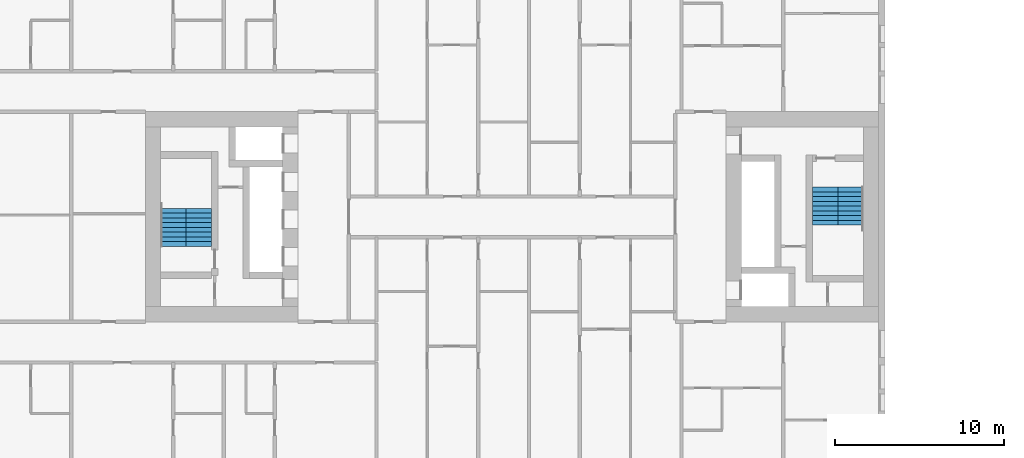
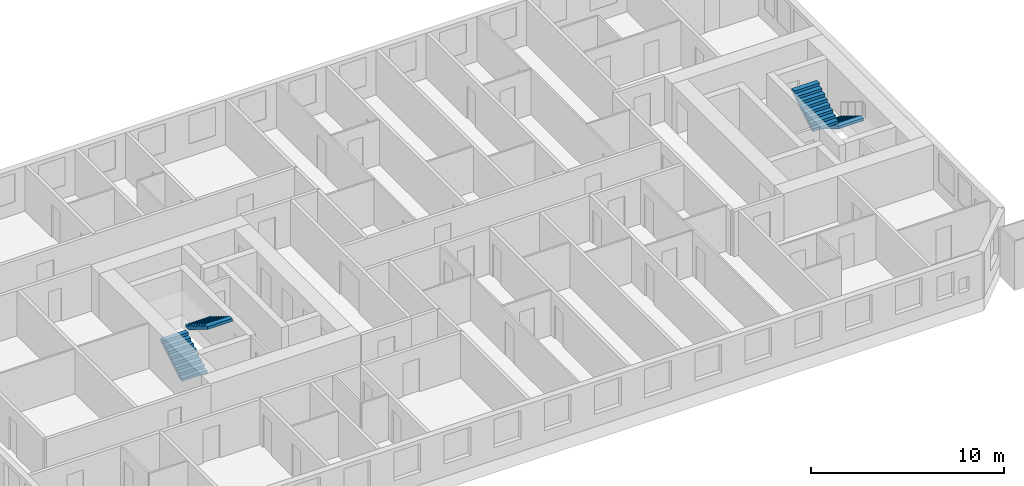
# One storey, part 15 of 16: 4 stair flights, 2 elements without a shape of their own.
"""IFC4 building model written with IfcOpenShell, lengths in metres."""

from ifc_helpers import new_model, si_unit, direction, frame, origin, place, context, subcontext, project, spatial, faceted_brep, material, type_object, element, aggregate, save


model = new_model("IFC4")

# Units and contexts
model_context = context("Model", 3, precision=1e-05, world=origin(), true_north=direction((0.0, 1.0)))
body_context = subcontext(model_context, "Body", "Model", "MODEL_VIEW")
ifc_project = project(units=[si_unit("LENGTHUNIT", "METRE"), si_unit("AREAUNIT", "SQUARE_METRE"), si_unit("VOLUMEUNIT", "CUBIC_METRE"), si_unit("PLANEANGLEUNIT", "RADIAN"), si_unit("MASSUNIT", "GRAM", prefix="KILO")], contexts=[model_context])

# Site, building, storey
site_placement = place(None, origin())
site = spatial("IfcSite", under=ifc_project, at=site_placement, CompositionType="ELEMENT")
building_placement = place(site_placement, origin())
building = spatial("IfcBuilding", under=site, at=building_placement, Name="Tuart Gate Housing", CompositionType="ELEMENT")
storey_placement = place(building_placement, frame((0.0, 0.0, 19.5)))
storey = spatial("IfcBuildingStorey", under=building, at=storey_placement, Name="L04", CompositionType="ELEMENT", Elevation=19.5)

# Stair, stair flights
ifc_material_1 = material(Name="Concrete C40", Category="concrete")
stair_type = type_object("IfcStairType", Name="Core stair 1500", PredefinedType="HALF_TURN_STAIR", material=ifc_material_1)
stair_1_placement = place(storey_placement, origin())
stair_1 = element("IfcStair", 1, at=stair_1_placement, inside=storey, type_object=stair_type, Name="Stair SA1", PredefinedType="HALF_TURN_STAIR")
ifc_material_2 = material(Name="Concrete C40", Category="concrete")
stair_flight_type = type_object("IfcStairFlightType", Name="Stair flight 1500, 9 risers 172 x 280", PredefinedType="STRAIGHT", material=ifc_material_2)
stair_flight_1_placement = place(storey_placement, frame((73.989990234375, 71.75, 0.0), z_axis=(0.0, 0.0, 1.0), x_axis=(0.0, -1.0, 0.0)))
stair_flight_1 = element("IfcStairFlight", 2, at=stair_flight_1_placement, type_object=stair_flight_type, Name="SA1 flight 1", NumberOfRisers=9, NumberOfTreads=8, PredefinedType="STRAIGHT", RiserHeight=0.172222222, TreadLength=0.28, context=body_context, shape_type="Brep", body=[
    faceted_brep([(0.0, 0.75, 0.0), (0.0, 0.75, 0.172119140625), (0.280029296875, 0.75, 0.172119140625), (0.280029296875, 0.75, 0.344482421875), (0.56005859375, 0.75, 0.344482421875), (0.56005859375, 0.75, 0.5166015625), (0.840087890625, 0.75, 0.5166015625), (0.840087890625, 0.75, 0.68896484375), (1.1201171875, 0.75, 0.68896484375), (1.1201171875, 0.75, 0.861083984375), (1.39990234375, 0.75, 0.861083984375), (1.39990234375, 0.75, 1.033447265625), (1.679931640625, 0.75, 1.033447265625), (1.679931640625, 0.75, 1.20556640625), (1.9599609375, 0.75, 1.20556640625), (1.9599609375, 0.75, 1.377685546875), (2.239990234375, 0.75, 1.377685546875), (2.239990234375, 0.75, 1.201904296875), (0.2861328125, 0.75, 0.0), (0.2861328125, -0.75, 0.0), (2.239990234375, -0.75, 1.201904296875), (2.239990234375, -0.75, 1.377685546875), (1.9599609375, -0.75, 1.377685546875), (1.9599609375, -0.75, 1.20556640625), (1.679931640625, -0.75, 1.20556640625), (1.679931640625, -0.75, 1.033447265625), (1.39990234375, -0.75, 1.033447265625), (1.39990234375, -0.75, 0.861083984375), (1.1201171875, -0.75, 0.861083984375), (1.1201171875, -0.75, 0.68896484375), (0.840087890625, -0.75, 0.68896484375), (0.840087890625, -0.75, 0.5166015625), (0.56005859375, -0.75, 0.5166015625), (0.56005859375, -0.75, 0.344482421875), (0.280029296875, -0.75, 0.344482421875), (0.280029296875, -0.75, 0.172119140625), (0.0, -0.75, 0.172119140625), (0.0, -0.75, 0.0), (2.239990234375, 0.0, 1.201904296875), (0.2861328125, 0.0, 0.0), (2.239990234375, 0.0, 1.377685546875), (1.9599609375, 0.0, 1.377685546875), (1.9599609375, 0.0, 1.20556640625), (1.679931640625, 0.0, 1.20556640625), (1.679931640625, 0.0, 1.033447265625), (1.39990234375, 0.0, 1.033447265625), (1.39990234375, 0.0, 0.861083984375), (1.1201171875, 0.0, 0.861083984375), (1.1201171875, 0.0, 0.68896484375), (0.840087890625, 0.0, 0.68896484375), (0.840087890625, 0.0, 0.5166015625), (0.56005859375, 0.0, 0.5166015625), (0.56005859375, 0.0, 0.344482421875), (0.280029296875, 0.0, 0.344482421875), (0.280029296875, 0.0, 0.172119140625), (0.0, 0.0, 0.172119140625), (0.0, 0.0, 0.0)], [[[0, 1, 2, 3, 4, 5, 6, 7, 8, 9, 10, 11, 12, 13, 14, 15, 16, 17, 18]], [[19, 20, 21, 22, 23, 24, 25, 26, 27, 28, 29, 30, 31, 32, 33, 34, 35, 36, 37]], [[18, 17, 38, 39]], [[39, 38, 20, 19]], [[17, 16, 40, 38]], [[38, 40, 21, 20]], [[16, 15, 41, 40]], [[40, 41, 22, 21]], [[15, 14, 42, 41]], [[41, 42, 23, 22]], [[14, 13, 43, 42]], [[42, 43, 24, 23]], [[13, 12, 44, 43]], [[43, 44, 25, 24]], [[12, 11, 45, 44]], [[44, 45, 26, 25]], [[11, 10, 46, 45]], [[45, 46, 27, 26]], [[10, 9, 47, 46]], [[46, 47, 28, 27]], [[9, 8, 48, 47]], [[47, 48, 29, 28]], [[8, 7, 49, 48]], [[48, 49, 30, 29]], [[7, 6, 50, 49]], [[49, 50, 31, 30]], [[6, 5, 51, 50]], [[50, 51, 32, 31]], [[5, 4, 52, 51]], [[51, 52, 33, 32]], [[4, 3, 53, 52]], [[52, 53, 34, 33]], [[3, 2, 54, 53]], [[53, 54, 35, 34]], [[2, 1, 55, 54]], [[54, 55, 36, 35]], [[1, 0, 56, 55]], [[55, 56, 37, 36]], [[0, 18, 39, 56]], [[56, 39, 19, 37]]]),
])
stair_flight_2_placement = place(storey_placement, frame((72.489990234375, 69.510009765625, 1.550048828125), z_axis=(0.0, 0.0, 1.0), x_axis=(0.0, 1.0, 0.0)))
stair_flight_2 = element("IfcStairFlight", 3, at=stair_flight_2_placement, type_object=stair_flight_type, Name="SA1 flight 2", NumberOfRisers=9, NumberOfTreads=8, PredefinedType="STRAIGHT", RiserHeight=0.172222222, TreadLength=0.28, context=body_context, shape_type="Brep", body=[
    faceted_brep([(0.0, 0.75, 0.0), (0.0, 0.75, 0.172119140625), (0.280029296875, 0.75, 0.172119140625), (0.280029296875, 0.75, 0.344482421875), (0.56005859375, 0.75, 0.344482421875), (0.56005859375, 0.75, 0.5166015625), (0.840087890625, 0.75, 0.5166015625), (0.840087890625, 0.75, 0.68896484375), (1.1201171875, 0.75, 0.68896484375), (1.1201171875, 0.75, 0.861083984375), (1.39990234375, 0.75, 0.861083984375), (1.39990234375, 0.75, 1.033447265625), (1.679931640625, 0.75, 1.033447265625), (1.679931640625, 0.75, 1.20556640625), (1.9599609375, 0.75, 1.20556640625), (1.9599609375, 0.75, 1.377685546875), (2.239990234375, 0.75, 1.377685546875), (2.239990234375, 0.75, 1.201904296875), (0.2861328125, 0.75, 0.0), (0.2861328125, -0.75, 0.0), (2.239990234375, -0.75, 1.201904296875), (2.239990234375, -0.75, 1.377685546875), (1.9599609375, -0.75, 1.377685546875), (1.9599609375, -0.75, 1.20556640625), (1.679931640625, -0.75, 1.20556640625), (1.679931640625, -0.75, 1.033447265625), (1.39990234375, -0.75, 1.033447265625), (1.39990234375, -0.75, 0.861083984375), (1.1201171875, -0.75, 0.861083984375), (1.1201171875, -0.75, 0.68896484375), (0.840087890625, -0.75, 0.68896484375), (0.840087890625, -0.75, 0.5166015625), (0.56005859375, -0.75, 0.5166015625), (0.56005859375, -0.75, 0.344482421875), (0.280029296875, -0.75, 0.344482421875), (0.280029296875, -0.75, 0.172119140625), (0.0, -0.75, 0.172119140625), (0.0, -0.75, 0.0), (2.239990234375, 0.0, 1.201904296875), (0.2861328125, 0.0, 0.0), (2.239990234375, 0.0, 1.377685546875), (1.9599609375, 0.0, 1.377685546875), (1.9599609375, 0.0, 1.20556640625), (1.679931640625, 0.0, 1.20556640625), (1.679931640625, 0.0, 1.033447265625), (1.39990234375, 0.0, 1.033447265625), (1.39990234375, 0.0, 0.861083984375), (1.1201171875, 0.0, 0.861083984375), (1.1201171875, 0.0, 0.68896484375), (0.840087890625, 0.0, 0.68896484375), (0.840087890625, 0.0, 0.5166015625), (0.56005859375, 0.0, 0.5166015625), (0.56005859375, 0.0, 0.344482421875), (0.280029296875, 0.0, 0.344482421875), (0.280029296875, 0.0, 0.172119140625), (0.0, 0.0, 0.172119140625), (0.0, 0.0, 0.0)], [[[0, 1, 2, 3, 4, 5, 6, 7, 8, 9, 10, 11, 12, 13, 14, 15, 16, 17, 18]], [[19, 20, 21, 22, 23, 24, 25, 26, 27, 28, 29, 30, 31, 32, 33, 34, 35, 36, 37]], [[18, 17, 38, 39]], [[39, 38, 20, 19]], [[17, 16, 40, 38]], [[38, 40, 21, 20]], [[16, 15, 41, 40]], [[40, 41, 22, 21]], [[15, 14, 42, 41]], [[41, 42, 23, 22]], [[14, 13, 43, 42]], [[42, 43, 24, 23]], [[13, 12, 44, 43]], [[43, 44, 25, 24]], [[12, 11, 45, 44]], [[44, 45, 26, 25]], [[11, 10, 46, 45]], [[45, 46, 27, 26]], [[10, 9, 47, 46]], [[46, 47, 28, 27]], [[9, 8, 48, 47]], [[47, 48, 29, 28]], [[8, 7, 49, 48]], [[48, 49, 30, 29]], [[7, 6, 50, 49]], [[49, 50, 31, 30]], [[6, 5, 51, 50]], [[50, 51, 32, 31]], [[5, 4, 52, 51]], [[51, 52, 33, 32]], [[4, 3, 53, 52]], [[52, 53, 34, 33]], [[3, 2, 54, 53]], [[53, 54, 35, 34]], [[2, 1, 55, 54]], [[54, 55, 36, 35]], [[1, 0, 56, 55]], [[55, 56, 37, 36]], [[0, 18, 39, 56]], [[56, 39, 19, 37]]]),
])
aggregate(stair_1, [stair_flight_1, stair_flight_2])

stair_2_placement = place(storey_placement, origin())
stair_2 = element("IfcStair", 4, at=stair_2_placement, inside=storey, type_object=stair_type, Name="Stair SA2", PredefinedType="HALF_TURN_STAIR")
stair_flight_3_placement = place(storey_placement, frame((34.010009765625, 68.25, 0.0), z_axis=(0.0, 0.0, 1.0), x_axis=(0.0, 1.0, 0.0)))
stair_flight_3 = element("IfcStairFlight", 5, at=stair_flight_3_placement, type_object=stair_flight_type, Name="SA2 flight 1", NumberOfRisers=9, NumberOfTreads=8, PredefinedType="STRAIGHT", RiserHeight=0.172222222, TreadLength=0.28, context=body_context, shape_type="Brep", body=[
    faceted_brep([(0.0, 0.75, 0.0), (0.0, 0.75, 0.172119140625), (0.280029296875, 0.75, 0.172119140625), (0.280029296875, 0.75, 0.344482421875), (0.56005859375, 0.75, 0.344482421875), (0.56005859375, 0.75, 0.5166015625), (0.840087890625, 0.75, 0.5166015625), (0.840087890625, 0.75, 0.68896484375), (1.1201171875, 0.75, 0.68896484375), (1.1201171875, 0.75, 0.861083984375), (1.39990234375, 0.75, 0.861083984375), (1.39990234375, 0.75, 1.033447265625), (1.679931640625, 0.75, 1.033447265625), (1.679931640625, 0.75, 1.20556640625), (1.9599609375, 0.75, 1.20556640625), (1.9599609375, 0.75, 1.377685546875), (2.239990234375, 0.75, 1.377685546875), (2.239990234375, 0.75, 1.201904296875), (0.2861328125, 0.75, 0.0), (0.2861328125, -0.75, 0.0), (2.239990234375, -0.75, 1.201904296875), (2.239990234375, -0.75, 1.377685546875), (1.9599609375, -0.75, 1.377685546875), (1.9599609375, -0.75, 1.20556640625), (1.679931640625, -0.75, 1.20556640625), (1.679931640625, -0.75, 1.033447265625), (1.39990234375, -0.75, 1.033447265625), (1.39990234375, -0.75, 0.861083984375), (1.1201171875, -0.75, 0.861083984375), (1.1201171875, -0.75, 0.68896484375), (0.840087890625, -0.75, 0.68896484375), (0.840087890625, -0.75, 0.5166015625), (0.56005859375, -0.75, 0.5166015625), (0.56005859375, -0.75, 0.344482421875), (0.280029296875, -0.75, 0.344482421875), (0.280029296875, -0.75, 0.172119140625), (0.0, -0.75, 0.172119140625), (0.0, -0.75, 0.0), (2.239990234375, 0.0, 1.201904296875), (0.2861328125, 0.0, 0.0), (2.239990234375, 0.0, 1.377685546875), (1.9599609375, 0.0, 1.377685546875), (1.9599609375, 0.0, 1.20556640625), (1.679931640625, 0.0, 1.20556640625), (1.679931640625, 0.0, 1.033447265625), (1.39990234375, 0.0, 1.033447265625), (1.39990234375, 0.0, 0.861083984375), (1.1201171875, 0.0, 0.861083984375), (1.1201171875, 0.0, 0.68896484375), (0.840087890625, 0.0, 0.68896484375), (0.840087890625, 0.0, 0.5166015625), (0.56005859375, 0.0, 0.5166015625), (0.56005859375, 0.0, 0.344482421875), (0.280029296875, 0.0, 0.344482421875), (0.280029296875, 0.0, 0.172119140625), (0.0, 0.0, 0.172119140625), (0.0, 0.0, 0.0)], [[[0, 1, 2, 3, 4, 5, 6, 7, 8, 9, 10, 11, 12, 13, 14, 15, 16, 17, 18]], [[19, 20, 21, 22, 23, 24, 25, 26, 27, 28, 29, 30, 31, 32, 33, 34, 35, 36, 37]], [[18, 17, 38, 39]], [[39, 38, 20, 19]], [[17, 16, 40, 38]], [[38, 40, 21, 20]], [[16, 15, 41, 40]], [[40, 41, 22, 21]], [[15, 14, 42, 41]], [[41, 42, 23, 22]], [[14, 13, 43, 42]], [[42, 43, 24, 23]], [[13, 12, 44, 43]], [[43, 44, 25, 24]], [[12, 11, 45, 44]], [[44, 45, 26, 25]], [[11, 10, 46, 45]], [[45, 46, 27, 26]], [[10, 9, 47, 46]], [[46, 47, 28, 27]], [[9, 8, 48, 47]], [[47, 48, 29, 28]], [[8, 7, 49, 48]], [[48, 49, 30, 29]], [[7, 6, 50, 49]], [[49, 50, 31, 30]], [[6, 5, 51, 50]], [[50, 51, 32, 31]], [[5, 4, 52, 51]], [[51, 52, 33, 32]], [[4, 3, 53, 52]], [[52, 53, 34, 33]], [[3, 2, 54, 53]], [[53, 54, 35, 34]], [[2, 1, 55, 54]], [[54, 55, 36, 35]], [[1, 0, 56, 55]], [[55, 56, 37, 36]], [[0, 18, 39, 56]], [[56, 39, 19, 37]]]),
])
stair_flight_4_placement = place(storey_placement, frame((35.510009765625, 70.489990234375, 1.550048828125), z_axis=(0.0, 0.0, 1.0), x_axis=(0.0, -1.0, 0.0)))
stair_flight_4 = element("IfcStairFlight", 6, at=stair_flight_4_placement, type_object=stair_flight_type, Name="SA2 flight 2", NumberOfRisers=9, NumberOfTreads=8, PredefinedType="STRAIGHT", RiserHeight=0.172222222, TreadLength=0.28, context=body_context, shape_type="Brep", body=[
    faceted_brep([(0.0, 0.75, 0.0), (0.0, 0.75, 0.172119140625), (0.280029296875, 0.75, 0.172119140625), (0.280029296875, 0.75, 0.344482421875), (0.56005859375, 0.75, 0.344482421875), (0.56005859375, 0.75, 0.5166015625), (0.840087890625, 0.75, 0.5166015625), (0.840087890625, 0.75, 0.68896484375), (1.1201171875, 0.75, 0.68896484375), (1.1201171875, 0.75, 0.861083984375), (1.39990234375, 0.75, 0.861083984375), (1.39990234375, 0.75, 1.033447265625), (1.679931640625, 0.75, 1.033447265625), (1.679931640625, 0.75, 1.20556640625), (1.9599609375, 0.75, 1.20556640625), (1.9599609375, 0.75, 1.377685546875), (2.239990234375, 0.75, 1.377685546875), (2.239990234375, 0.75, 1.201904296875), (0.2861328125, 0.75, 0.0), (0.2861328125, -0.75, 0.0), (2.239990234375, -0.75, 1.201904296875), (2.239990234375, -0.75, 1.377685546875), (1.9599609375, -0.75, 1.377685546875), (1.9599609375, -0.75, 1.20556640625), (1.679931640625, -0.75, 1.20556640625), (1.679931640625, -0.75, 1.033447265625), (1.39990234375, -0.75, 1.033447265625), (1.39990234375, -0.75, 0.861083984375), (1.1201171875, -0.75, 0.861083984375), (1.1201171875, -0.75, 0.68896484375), (0.840087890625, -0.75, 0.68896484375), (0.840087890625, -0.75, 0.5166015625), (0.56005859375, -0.75, 0.5166015625), (0.56005859375, -0.75, 0.344482421875), (0.280029296875, -0.75, 0.344482421875), (0.280029296875, -0.75, 0.172119140625), (0.0, -0.75, 0.172119140625), (0.0, -0.75, 0.0), (2.239990234375, 0.0, 1.201904296875), (0.2861328125, 0.0, 0.0), (2.239990234375, 0.0, 1.377685546875), (1.9599609375, 0.0, 1.377685546875), (1.9599609375, 0.0, 1.20556640625), (1.679931640625, 0.0, 1.20556640625), (1.679931640625, 0.0, 1.033447265625), (1.39990234375, 0.0, 1.033447265625), (1.39990234375, 0.0, 0.861083984375), (1.1201171875, 0.0, 0.861083984375), (1.1201171875, 0.0, 0.68896484375), (0.840087890625, 0.0, 0.68896484375), (0.840087890625, 0.0, 0.5166015625), (0.56005859375, 0.0, 0.5166015625), (0.56005859375, 0.0, 0.344482421875), (0.280029296875, 0.0, 0.344482421875), (0.280029296875, 0.0, 0.172119140625), (0.0, 0.0, 0.172119140625), (0.0, 0.0, 0.0)], [[[0, 1, 2, 3, 4, 5, 6, 7, 8, 9, 10, 11, 12, 13, 14, 15, 16, 17, 18]], [[19, 20, 21, 22, 23, 24, 25, 26, 27, 28, 29, 30, 31, 32, 33, 34, 35, 36, 37]], [[18, 17, 38, 39]], [[39, 38, 20, 19]], [[17, 16, 40, 38]], [[38, 40, 21, 20]], [[16, 15, 41, 40]], [[40, 41, 22, 21]], [[15, 14, 42, 41]], [[41, 42, 23, 22]], [[14, 13, 43, 42]], [[42, 43, 24, 23]], [[13, 12, 44, 43]], [[43, 44, 25, 24]], [[12, 11, 45, 44]], [[44, 45, 26, 25]], [[11, 10, 46, 45]], [[45, 46, 27, 26]], [[10, 9, 47, 46]], [[46, 47, 28, 27]], [[9, 8, 48, 47]], [[47, 48, 29, 28]], [[8, 7, 49, 48]], [[48, 49, 30, 29]], [[7, 6, 50, 49]], [[49, 50, 31, 30]], [[6, 5, 51, 50]], [[50, 51, 32, 31]], [[5, 4, 52, 51]], [[51, 52, 33, 32]], [[4, 3, 53, 52]], [[52, 53, 34, 33]], [[3, 2, 54, 53]], [[53, 54, 35, 34]], [[2, 1, 55, 54]], [[54, 55, 36, 35]], [[1, 0, 56, 55]], [[55, 56, 37, 36]], [[0, 18, 39, 56]], [[56, 39, 19, 37]]]),
])
aggregate(stair_2, [stair_flight_3, stair_flight_4])

save(model, "model.ifc")
